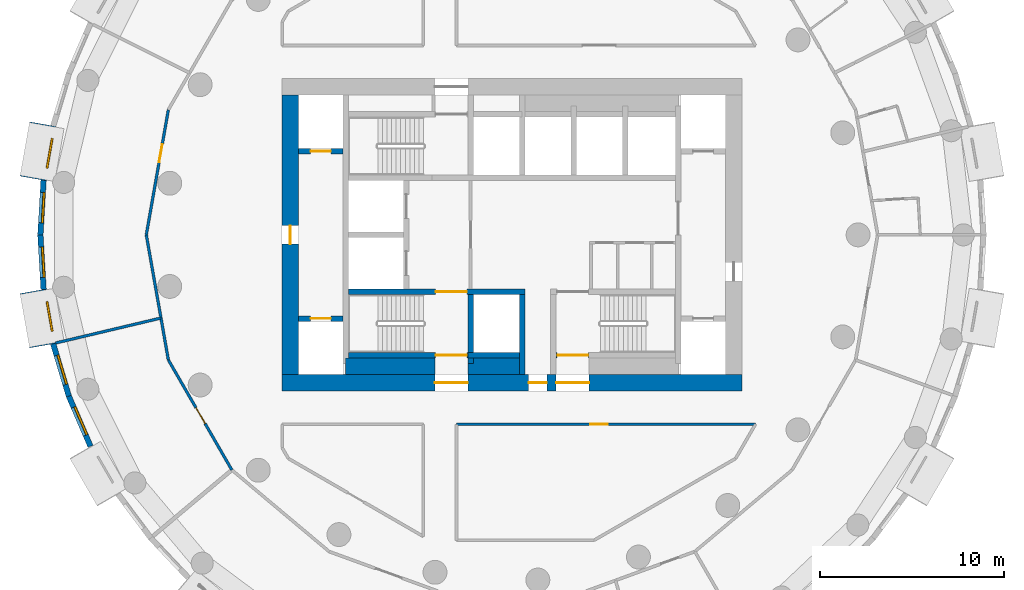
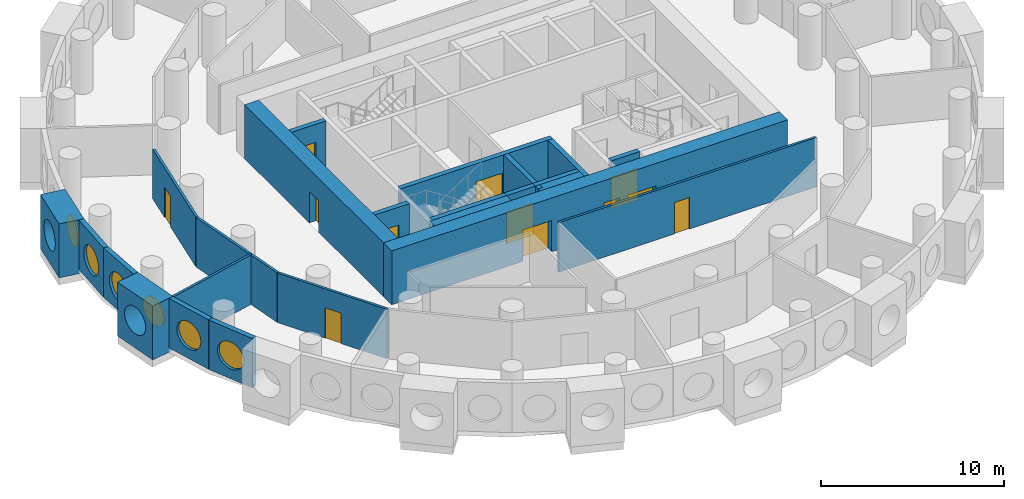
# One storey, part 3 of 10: 24 walls, 12 doors, 6 windows, 18 openings.
"""IFC4 building model written with IfcOpenShell, lengths in metres."""

from ifc_helpers import new_model, si_unit, direction, frame, frame_2d, origin, origin_2d, place, context, subcontext, project, spatial, rectangle, circle, extrude, material, layer, layer_set, type_object, element, fill, save


model = new_model("IFC4")

# Units and contexts
model_context = context("Model", 3, precision=1e-05, world=origin(), true_north=direction((0.0, 1.0)))
body_context = subcontext(model_context, "Body", "Model", "MODEL_VIEW")
ifc_project = project(units=[si_unit("LENGTHUNIT", "METRE"), si_unit("AREAUNIT", "SQUARE_METRE"), si_unit("VOLUMEUNIT", "CUBIC_METRE"), si_unit("PLANEANGLEUNIT", "RADIAN"), si_unit("MASSUNIT", "GRAM", prefix="KILO")], contexts=[model_context])

# Site, building, storey
site_placement = place(None, origin())
site = spatial("IfcSite", under=ifc_project, at=site_placement, CompositionType="ELEMENT")
building_placement = place(site_placement, origin())
building = spatial("IfcBuilding", under=site, at=building_placement, Name="Tracery Tower", CompositionType="ELEMENT")
storey_placement = place(building_placement, frame((0.0, 0.0, 158.39990234375)))
storey = spatial("IfcBuildingStorey", under=building, at=storey_placement, Name="L40", CompositionType="ELEMENT", Elevation=158.39990234375)

# Walls
ifc_material_1 = material(Name="Concrete C50/60", Category="concrete")
ifc_layer_1 = layer(ifc_material_1, 0.89990234375)
ifc_layer_set_1 = layer_set([ifc_layer_1], Name="Core strip wall 900 C50")
wall_type_1 = type_object("IfcWallType", Name="Core strip wall 900 C50", PredefinedType="SOLIDWALL", material=ifc_layer_set_1)
wall_1_placement = place(storey_placement, frame((-9.050048828125, -7.14990234375, 0.0), z_axis=(0.0, 0.0, 1.0), x_axis=(1.0, 0.0, 0.0)))
element("IfcWall", 1, at=wall_1_placement, inside=storey, type_object=wall_type_1, Name="L40 F thick S W", PredefinedType="SOLIDWALL", context=body_context, shape_type="SweptSolid", body=[
    extrude(rectangle(XDim=4.85009765625, YDim=0.89990234375, at=frame_2d((2.425048828125, 0.0))), origin(), (0.0, 0.0, 1.0), 3.300048828125),
])
wall_2_placement = place(storey_placement, frame((-2.39990234375, -7.14990234375, 0.0), z_axis=(0.0, 0.0, 1.0), x_axis=(1.0, 0.0, 0.0)))
element("IfcWall", 2, at=wall_2_placement, inside=storey, type_object=wall_type_1, Name="L40 F thick S mid", PredefinedType="SOLIDWALL", context=body_context, shape_type="SweptSolid", body=[
    extrude(rectangle(XDim=2.7998046875, YDim=0.89990234375, at=frame_2d((1.39990234375, 0.0))), origin(), (0.0, 0.0, 1.0), 3.300048828125),
])

# Wall, openings, doors
ifc_material_2 = material(Name="Concrete C50/60", Category="concrete")
ifc_layer_2 = layer(ifc_material_2, 0.89990234375)
ifc_layer_set_2 = layer_set([ifc_layer_2], Name="Core wall 900 C50")
wall_type_2 = type_object("IfcWallType", Name="Core wall 900 C50", PredefinedType="SOLIDWALL", material=ifc_layer_set_2)
wall_3_placement = place(storey_placement, frame((-12.5, -8.050048828125, 0.0), z_axis=(0.0, 0.0, 1.0), x_axis=(1.0, 0.0, 0.0)))
wall_3 = element("IfcWall", 3, at=wall_3_placement, inside=storey, type_object=wall_type_2, Name="L40 outer S", PredefinedType="SOLIDWALL", context=body_context, shape_type="SweptSolid", body=[
    extrude(rectangle(XDim=25.0, YDim=0.89990234375, at=frame_2d((12.5, 0.0))), origin(), (0.0, 0.0, 1.0), 3.60009765625),
])
opening_1_placement = place(wall_3_placement, frame((13.39990234375, 0.0, 0.0)))
opening_1 = element("IfcOpeningElement", 4, at=opening_1_placement, cuts=wall_3, Name="Opening KD16", PredefinedType="OPENING", context=body_context, shape_type="SweptSolid", body=[
    extrude(rectangle(XDim=1.0, YDim=2.10009765625, at=frame_2d((0.5, 1.050048828125))), frame((0.0, 0.449951171875, 0.0), z_axis=(0.0, -1.0, 0.0), x_axis=(1.0, 0.0, 0.0)), (0.0, 0.0, 1.0), 0.89990234375),
])
opening_2_placement = place(wall_3_placement, frame((8.300048828125, 0.0, 0.0)))
opening_2 = element("IfcOpeningElement", 5, at=opening_2_placement, cuts=wall_3, Name="Opening KD13", PredefinedType="OPENING", context=body_context, shape_type="SweptSolid", body=[
    extrude(rectangle(XDim=1.800048828125, YDim=2.10009765625, at=frame_2d((0.89990234375, 1.050048828125))), frame((0.0, 0.449951171875, 0.0), z_axis=(0.0, -1.0, 0.0), x_axis=(1.0, 0.0, 0.0)), (0.0, 0.0, 1.0), 0.89990234375),
])
opening_3_placement = place(wall_3_placement, frame((14.89990234375, 0.0, 0.0)))
opening_3 = element("IfcOpeningElement", 6, at=opening_3_placement, cuts=wall_3, Name="Opening KD13", PredefinedType="OPENING", context=body_context, shape_type="SweptSolid", body=[
    extrude(rectangle(XDim=1.800048828125, YDim=2.10009765625, at=frame_2d((0.89990234375, 1.050048828125))), frame((0.0, 0.449951171875, 0.0), z_axis=(0.0, -1.0, 0.0), x_axis=(1.0, 0.0, 0.0)), (0.0, 0.0, 1.0), 0.89990234375),
])
ifc_material_3 = material(Name="Steel fire door", Category="steel")
door_type_1 = type_object("IfcDoorType", Name="Core exit door 1000", OperationType="NOTDEFINED", PredefinedType="DOOR", material=ifc_material_3)
door_1_placement = place(opening_1_placement, origin())
door_1 = element("IfcDoor", 7, at=door_1_placement, inside=storey, type_object=door_type_1, Name="Core exit door", OperationType="SINGLE_SWING_LEFT", OverallHeight=2.10009765625, OverallWidth=1.0, PredefinedType="DOOR", context=body_context, shape_type="SweptSolid", body=[
    extrude(rectangle(XDim=1.0, YDim=2.10009765625, at=frame_2d((0.5, 1.050048828125))), frame((0.0, 0.02490234375, 0.0), z_axis=(0.0, -1.0, 0.0), x_axis=(1.0, 0.0, 0.0)), (0.0, 0.0, 1.0), 0.050048828125),
])
fill(opening_1, door_1)
ifc_material_4 = material(Name="Steel fire door", Category="steel")
door_type_2 = type_object("IfcDoorType", Name="Core exit door 1800 double", OperationType="NOTDEFINED", PredefinedType="DOOR", material=ifc_material_4)
door_2_placement = place(opening_2_placement, origin())
door_2 = element("IfcDoor", 8, at=door_2_placement, inside=storey, type_object=door_type_2, Name="Core exit door", OperationType="DOUBLE_DOOR_SINGLE_SWING", OverallHeight=2.10009765625, OverallWidth=1.800048828125, PredefinedType="DOOR", context=body_context, shape_type="SweptSolid", body=[
    extrude(rectangle(XDim=1.800048828125, YDim=2.10009765625, at=frame_2d((0.89990234375, 1.050048828125))), frame((0.0, 0.02490234375, 0.0), z_axis=(0.0, -1.0, 0.0), x_axis=(1.0, 0.0, 0.0)), (0.0, 0.0, 1.0), 0.050048828125),
])
fill(opening_2, door_2)
door_3_placement = place(opening_3_placement, origin())
door_3 = element("IfcDoor", 9, at=door_3_placement, inside=storey, type_object=door_type_2, Name="Core exit door", OperationType="DOUBLE_DOOR_SINGLE_SWING", OverallHeight=2.10009765625, OverallWidth=1.800048828125, PredefinedType="DOOR", context=body_context, shape_type="SweptSolid", body=[
    extrude(rectangle(XDim=1.800048828125, YDim=2.10009765625, at=frame_2d((0.89990234375, 1.050048828125))), frame((0.0, 0.02490234375, 0.0), z_axis=(0.0, -1.0, 0.0), x_axis=(1.0, 0.0, 0.0)), (0.0, 0.0, 1.0), 0.050048828125),
])
fill(opening_3, door_3)

# Wall, opening, door
wall_4_placement = place(storey_placement, frame((-12.050048828125, -7.60009765625, 0.0), z_axis=(0.0, 0.0, 1.0), x_axis=(0.0, 1.0, 0.0)))
wall_4 = element("IfcWall", 10, at=wall_4_placement, inside=storey, type_object=wall_type_2, Name="L40 outer W", PredefinedType="SOLIDWALL", context=body_context, shape_type="SweptSolid", body=[
    extrude(rectangle(XDim=15.2001953125, YDim=0.89990234375, at=frame_2d((7.60009765625, 0.0))), origin(), (0.0, 0.0, 1.0), 3.60009765625),
])
opening_4_placement = place(wall_4_placement, frame((7.10009765625, 0.0, 0.0)))
opening_4 = element("IfcOpeningElement", 11, at=opening_4_placement, cuts=wall_4, Name="Opening KD18", PredefinedType="OPENING", context=body_context, shape_type="SweptSolid", body=[
    extrude(rectangle(XDim=1.0, YDim=2.10009765625, at=frame_2d((0.5, 1.050048828125))), frame((0.0, 0.449951171875, 0.0), z_axis=(0.0, -1.0, 0.0), x_axis=(1.0, 0.0, 0.0)), (0.0, 0.0, 1.0), 0.89990234375),
])
door_4_placement = place(opening_4_placement, origin())
door_4 = element("IfcDoor", 12, at=door_4_placement, inside=storey, type_object=door_type_1, Name="Core exit door", OperationType="DOUBLE_DOOR_SINGLE_SWING", OverallHeight=2.10009765625, OverallWidth=1.0, PredefinedType="DOOR", context=body_context, shape_type="SweptSolid", body=[
    extrude(rectangle(XDim=1.0, YDim=2.10009765625, at=frame_2d((0.5, 1.050048828125))), frame((0.0, 0.02490234375, 0.0), z_axis=(0.0, -1.0, 0.0), x_axis=(1.0, 0.0, 0.0)), (0.0, 0.0, 1.0), 0.050048828125),
])
fill(opening_4, door_4)

# Wall, opening, window
ifc_material_5 = material(Name="Precast concrete C50/60", Category="concrete")
ifc_layer_3 = layer(ifc_material_5, 1.449951171875)
ifc_layer_set_3 = layer_set([ifc_layer_3], Name="Deep-set bay unit 3000 x 3600, slab edge 300")
wall_type_3 = type_object("IfcWallType", Name="Deep-set bay unit 3000 x 3600, slab edge 300", PredefinedType="ELEMENTEDWALL", material=ifc_layer_set_3)
wall_5_placement = place(storey_placement, frame((-25.520751953125, 6.023193359375, -0.2998046875), z_axis=(0.0, 0.0, 1.0), x_axis=(-0.173669267716, -0.984804034035, 0.0)))
wall_5 = element("IfcWall", 13, at=wall_5_placement, inside=storey, type_object=wall_type_3, Name="Deep-set bay unit 26 at L40", PredefinedType="ELEMENTEDWALL", context=body_context, shape_type="SweptSolid", body=[
    extrude(rectangle(XDim=3.0, YDim=1.449951171875, at=frame_2d((1.5, 0.0))), origin(), (0.0, 0.0, 1.0), 3.599853515625),
])
opening_5_placement = place(wall_5_placement, frame((1.5, 0.0, 1.85009765625)))
opening_5 = element("IfcOpeningElement", 14, at=opening_5_placement, cuts=wall_5, Name="Opening WN1", PredefinedType="OPENING", context=body_context, shape_type="SweptSolid", body=[
    extrude(circle(Radius=0.9000244140625, at=origin_2d()), frame((0.0, 0.73486328125, 0.0), z_axis=(0.0, -1.0, 0.0), x_axis=(1.0, 0.0, 0.0)), (0.0, 0.0, 1.0), 1.469970703125),
])
ifc_material_6 = material(Name="Aluminium frame with tinted double glazing", Category="aluminium")
window_type = type_object("IfcWindowType", Name="Round window 1800", PartitioningType="SINGLE_PANEL", PredefinedType="WINDOW", material=ifc_material_6)
window_1_placement = place(opening_5_placement, origin())
window_1 = element("IfcWindow", 15, at=window_1_placement, inside=storey, type_object=window_type, Name="Round window 26 at L40", OverallHeight=1.800048828125, OverallWidth=1.800048828125, PartitioningType="SINGLE_PANEL", PredefinedType="WINDOW", context=body_context, shape_type="SweptSolid", body=[
    extrude(circle(Radius=0.9000244140625, at=origin_2d()), frame((0.0, 0.69482421875, 0.0), z_axis=(0.0, -1.0, 0.0), x_axis=(1.0, 0.0, 0.0)), (0.0, 0.0, 1.0), 0.10009765625),
])
fill(opening_5, window_1)

wall_6_placement = place(storey_placement, frame((-26.041748046875, -3.06884765625, -0.2998046875), z_axis=(0.0, 0.0, 1.0), x_axis=(0.173669267716, -0.984804034035, 0.0)))
wall_6 = element("IfcWall", 16, at=wall_6_placement, inside=storey, type_object=wall_type_3, Name="Deep-set bay unit 29 at L40", PredefinedType="ELEMENTEDWALL", context=body_context, shape_type="SweptSolid", body=[
    extrude(rectangle(XDim=3.0, YDim=1.449951171875, at=frame_2d((1.5, 0.0))), origin(), (0.0, 0.0, 1.0), 3.599853515625),
])
opening_6_placement = place(wall_6_placement, frame((1.5, 0.0, 1.85009765625)))
opening_6 = element("IfcOpeningElement", 17, at=opening_6_placement, cuts=wall_6, Name="Opening WN1", PredefinedType="OPENING", context=body_context, shape_type="SweptSolid", body=[
    extrude(circle(Radius=0.9000244140625, at=origin_2d()), frame((0.0, 0.73486328125, 0.0), z_axis=(0.0, -1.0, 0.0), x_axis=(1.0, 0.0, 0.0)), (0.0, 0.0, 1.0), 1.469970703125),
])
window_2_placement = place(opening_6_placement, origin())
window_2 = element("IfcWindow", 18, at=window_2_placement, inside=storey, type_object=window_type, Name="Round window 29 at L40", OverallHeight=1.800048828125, OverallWidth=1.800048828125, PartitioningType="SINGLE_PANEL", PredefinedType="WINDOW", context=body_context, shape_type="SweptSolid", body=[
    extrude(circle(Radius=0.9000244140625, at=origin_2d()), frame((0.0, 0.69482421875, 0.0), z_axis=(0.0, -1.0, 0.0), x_axis=(1.0, 0.0, 0.0)), (0.0, 0.0, 1.0), 0.10009765625),
])
fill(opening_6, window_2)

ifc_material_7 = material(Name="Precast concrete C50/60", Category="concrete")
ifc_layer_4 = layer(ifc_material_7, 0.300048828125)
ifc_layer_set_4 = layer_set([ifc_layer_4], Name="Facade panel 3000 x 3300")
wall_type_4 = type_object("IfcWallType", Name="Facade panel 3000 x 3300", PredefinedType="SOLIDWALL", material=ifc_layer_set_4)
wall_7_placement = place(storey_placement, frame((-25.474609375, 2.9677734375, 0.0), z_axis=(0.0, 0.0, 1.0), x_axis=(-0.058144307138, -0.998308188661, 0.0)))
wall_7 = element("IfcWall", 19, at=wall_7_placement, inside=storey, type_object=wall_type_4, Name="Facade panel 27 at L40", PredefinedType="SOLIDWALL", context=body_context, shape_type="SweptSolid", body=[
    extrude(rectangle(XDim=2.972900390625, YDim=0.300048828125, at=frame_2d((1.486328125, 0.0))), origin(), (0.0, 0.0, 1.0), 3.300048828125),
])
opening_7_placement = place(wall_7_placement, frame((1.486328125, 0.0, 1.5498046875)))
opening_7 = element("IfcOpeningElement", 20, at=opening_7_placement, cuts=wall_7, Name="Opening WN1", PredefinedType="OPENING", context=body_context, shape_type="SweptSolid", body=[
    extrude(circle(Radius=0.9000244140625, at=origin_2d()), frame((0.0, 0.159912109375, 0.0), z_axis=(0.0, -1.0, 0.0), x_axis=(1.0, 0.0, 0.0)), (0.0, 0.0, 1.0), 0.320068359375),
])
window_3_placement = place(opening_7_placement, origin())
window_3 = element("IfcWindow", 21, at=window_3_placement, inside=storey, type_object=window_type, Name="Round window 27 at L40", OverallHeight=1.800048828125, OverallWidth=1.800048828125, PartitioningType="SINGLE_PANEL", PredefinedType="WINDOW", context=body_context, shape_type="SweptSolid", body=[
    extrude(circle(Radius=0.9000244140625, at=origin_2d()), frame((0.0, 0.1201171875, 0.0), z_axis=(0.0, -1.0, 0.0), x_axis=(1.0, 0.0, 0.0)), (0.0, 0.0, 1.0), 0.10009765625),
])
fill(opening_7, window_3)

wall_8_placement = place(storey_placement, frame((-25.6474609375, 0.0, 0.0), z_axis=(0.0, 0.0, 1.0), x_axis=(0.058144307138, -0.998308188661, 0.0)))
wall_8 = element("IfcWall", 22, at=wall_8_placement, inside=storey, type_object=wall_type_4, Name="Facade panel 28 at L40", PredefinedType="SOLIDWALL", context=body_context, shape_type="SweptSolid", body=[
    extrude(rectangle(XDim=2.972900390625, YDim=0.300048828125, at=frame_2d((1.486328125, 0.0))), origin(), (0.0, 0.0, 1.0), 3.300048828125),
])
opening_8_placement = place(wall_8_placement, frame((1.486328125, 0.0, 1.5498046875)))
opening_8 = element("IfcOpeningElement", 23, at=opening_8_placement, cuts=wall_8, Name="Opening WN1", PredefinedType="OPENING", context=body_context, shape_type="SweptSolid", body=[
    extrude(circle(Radius=0.9000244140625, at=origin_2d()), frame((0.0, 0.159912109375, 0.0), z_axis=(0.0, -1.0, 0.0), x_axis=(1.0, 0.0, 0.0)), (0.0, 0.0, 1.0), 0.320068359375),
])
window_4_placement = place(opening_8_placement, origin())
window_4 = element("IfcWindow", 24, at=window_4_placement, inside=storey, type_object=window_type, Name="Round window 28 at L40", OverallHeight=1.800048828125, OverallWidth=1.800048828125, PartitioningType="SINGLE_PANEL", PredefinedType="WINDOW", context=body_context, shape_type="SweptSolid", body=[
    extrude(circle(Radius=0.9000244140625, at=origin_2d()), frame((0.0, 0.1201171875, 0.0), z_axis=(0.0, -1.0, 0.0), x_axis=(1.0, 0.0, 0.0)), (0.0, 0.0, 1.0), 0.10009765625),
])
fill(opening_8, window_4)

wall_9_placement = place(storey_placement, frame((-24.953369140625, -5.924072265625, 0.0), z_axis=(0.0, 0.0, 1.0), x_axis=(0.286782750849, -0.957995643944, 0.0)))
wall_9 = element("IfcWall", 25, at=wall_9_placement, inside=storey, type_object=wall_type_4, Name="Facade panel 30 at L40", PredefinedType="SOLIDWALL", context=body_context, shape_type="SweptSolid", body=[
    extrude(rectangle(XDim=2.97265625, YDim=0.300048828125, at=frame_2d((1.486328125, 0.0))), origin(), (0.0, 0.0, 1.0), 3.300048828125),
])
opening_9_placement = place(wall_9_placement, frame((1.486328125, 0.0, 1.5498046875)))
opening_9 = element("IfcOpeningElement", 26, at=opening_9_placement, cuts=wall_9, Name="Opening WN1", PredefinedType="OPENING", context=body_context, shape_type="SweptSolid", body=[
    extrude(circle(Radius=0.9000244140625, at=origin_2d()), frame((0.0, 0.159912109375, 0.0), z_axis=(0.0, -1.0, 0.0), x_axis=(1.0, 0.0, 0.0)), (0.0, 0.0, 1.0), 0.320068359375),
])
window_5_placement = place(opening_9_placement, origin())
window_5 = element("IfcWindow", 27, at=window_5_placement, inside=storey, type_object=window_type, Name="Round window 30 at L40", OverallHeight=1.800048828125, OverallWidth=1.800048828125, PartitioningType="SINGLE_PANEL", PredefinedType="WINDOW", context=body_context, shape_type="SweptSolid", body=[
    extrude(circle(Radius=0.9000244140625, at=origin_2d()), frame((0.0, 0.1201171875, 0.0), z_axis=(0.0, -1.0, 0.0), x_axis=(1.0, 0.0, 0.0)), (0.0, 0.0, 1.0), 0.10009765625),
])
fill(opening_9, window_5)

wall_10_placement = place(storey_placement, frame((-24.100830078125, -8.77197265625, 0.0), z_axis=(0.0, 0.0, 1.0), x_axis=(0.396148129016, -0.918186614952, 0.0)))
wall_10 = element("IfcWall", 28, at=wall_10_placement, inside=storey, type_object=wall_type_4, Name="Facade panel 31 at L40", PredefinedType="SOLIDWALL", context=body_context, shape_type="SweptSolid", body=[
    extrude(rectangle(XDim=2.972900390625, YDim=0.300048828125, at=frame_2d((1.486328125, 0.0))), origin(), (0.0, 0.0, 1.0), 3.300048828125),
])
opening_10_placement = place(wall_10_placement, frame((1.486328125, 0.0, 1.5498046875)))
opening_10 = element("IfcOpeningElement", 29, at=opening_10_placement, cuts=wall_10, Name="Opening WN1", PredefinedType="OPENING", context=body_context, shape_type="SweptSolid", body=[
    extrude(circle(Radius=0.9000244140625, at=origin_2d()), frame((0.0, 0.159912109375, 0.0), z_axis=(0.0, -1.0, 0.0), x_axis=(1.0, 0.0, 0.0)), (0.0, 0.0, 1.0), 0.320068359375),
])
window_6_placement = place(opening_10_placement, origin())
window_6 = element("IfcWindow", 30, at=window_6_placement, inside=storey, type_object=window_type, Name="Round window 31 at L40", OverallHeight=1.800048828125, OverallWidth=1.800048828125, PartitioningType="SINGLE_PANEL", PredefinedType="WINDOW", context=body_context, shape_type="SweptSolid", body=[
    extrude(circle(Radius=0.9000244140625, at=origin_2d()), frame((0.0, 0.1201171875, 0.0), z_axis=(0.0, -1.0, 0.0), x_axis=(1.0, 0.0, 0.0)), (0.0, 0.0, 1.0), 0.10009765625),
])
fill(opening_10, window_6)

# Wall
ifc_material_8 = material(Name="Plasterboard on steel studs", Category="steel")
ifc_layer_5 = layer(ifc_material_8, 0.14990234375)
ifc_layer_set_5 = layer_set([ifc_layer_5], Name="Partition 150 acoustic unit wall")
wall_type_5 = type_object("IfcWallType", Name="Partition 150 acoustic unit wall", PredefinedType="PARTITIONING", material=ifc_layer_set_5)
wall_11_placement = place(storey_placement, frame((-24.81005859375, -5.8798828125, 0.0), z_axis=(0.0, 0.0, 1.0), x_axis=(0.973033452951, 0.230664040193, 0.0)))
element("IfcWall", 31, at=wall_11_placement, inside=storey, type_object=wall_type_5, Name="Unit wall RB4-070", PredefinedType="PARTITIONING", context=body_context, shape_type="SweptSolid", body=[
    extrude(rectangle(XDim=5.87841796875, YDim=0.14990234375, at=frame_2d((2.939208984375, 0.0))), origin(), (0.0, 0.0, 1.0), 3.300048828125),
])

# Wall, opening, door
ifc_material_9 = material(Name="Plasterboard on steel studs", Category="steel")
ifc_layer_6 = layer(ifc_material_9, 0.14990234375)
ifc_layer_set_6 = layer_set([ifc_layer_6], Name="Partition 150 corridor wall")
wall_type_6 = type_object("IfcWallType", Name="Partition 150 corridor wall", PredefinedType="PARTITIONING", material=ifc_layer_set_6)
wall_12_placement = place(storey_placement, frame((-3.02490234375, -10.300048828125, 0.0), z_axis=(0.0, 0.0, 1.0), x_axis=(1.0, 0.0, 0.0)))
wall_12 = element("IfcWall", 32, at=wall_12_placement, inside=storey, type_object=wall_type_6, Name="Corridor wall RB4-004", PredefinedType="PARTITIONING", context=body_context, shape_type="SweptSolid", body=[
    extrude(rectangle(XDim=16.261962890625, YDim=0.14990234375, at=frame_2d((8.130859375, 0.0))), origin(), (0.0, 0.0, 1.0), 3.300048828125),
])
opening_11_placement = place(wall_12_placement, frame((7.287109375, 0.0, 0.0)))
opening_11 = element("IfcOpeningElement", 33, at=opening_11_placement, cuts=wall_12, Name="Opening RB4-04", PredefinedType="OPENING", context=body_context, shape_type="SweptSolid", body=[
    extrude(rectangle(XDim=0.949951171875, YDim=2.10009765625, at=frame_2d((0.47509765625, 1.050048828125))), frame((0.0, 0.074951171875, 0.0), z_axis=(0.0, -1.0, 0.0), x_axis=(1.0, 0.0, 0.0)), (0.0, 0.0, 1.0), 0.14990234375),
])
ifc_material_10 = material(Name="Timber door leaf", Category="wood")
door_type_3 = type_object("IfcDoorType", Name="Door store 950", OperationType="NOTDEFINED", PredefinedType="DOOR", material=ifc_material_10)
door_5_placement = place(opening_11_placement, origin())
door_5 = element("IfcDoor", 34, at=door_5_placement, inside=storey, type_object=door_type_3, Name="Store door RB4-04", OperationType="SINGLE_SWING_RIGHT", OverallHeight=2.10009765625, OverallWidth=0.949951171875, PredefinedType="DOOR", context=body_context, shape_type="SweptSolid", body=[
    extrude(rectangle(XDim=0.949951171875, YDim=2.10009765625, at=frame_2d((0.47509765625, 1.050048828125))), frame((0.0, 0.02490234375, 0.0), z_axis=(0.0, -1.0, 0.0), x_axis=(1.0, 0.0, 0.0)), (0.0, 0.0, 1.0), 0.050048828125),
])
fill(opening_11, door_5)

# Wall
wall_13_placement = place(storey_placement, frame((-19.887939453125, 0.0, 0.0), z_axis=(0.0, 0.0, 1.0), x_axis=(0.173763153374, -0.984787472772, 0.0)))
element("IfcWall", 35, at=wall_13_placement, inside=storey, type_object=wall_type_6, Name="Corridor wall RB4-027", PredefinedType="PARTITIONING", context=body_context, shape_type="SweptSolid", body=[
    extrude(rectangle(XDim=6.906982421875, YDim=0.14990234375, at=frame_2d((3.45361328125, 0.0))), origin(), (0.0, 0.0, 1.0), 3.300048828125),
])

# Wall, opening, door
wall_14_placement = place(storey_placement, frame((-19.887939453125, 0.0, 0.0), z_axis=(0.0, 0.0, 1.0), x_axis=(0.173728873845, 0.98479352069, 0.0)))
wall_14 = element("IfcWall", 36, at=wall_14_placement, inside=storey, type_object=wall_type_6, Name="Corridor wall RB4-028", PredefinedType="PARTITIONING", context=body_context, shape_type="SweptSolid", body=[
    extrude(rectangle(XDim=6.906982421875, YDim=0.14990234375, at=frame_2d((3.45361328125, 0.0))), origin(), (0.0, 0.0, 1.0), 3.300048828125),
])
opening_12_placement = place(wall_14_placement, frame((4.00390625, 0.0, 0.0)))
opening_12 = element("IfcOpeningElement", 37, at=opening_12_placement, cuts=wall_14, Name="Opening RB4-23", PredefinedType="OPENING", context=body_context, shape_type="SweptSolid", body=[
    extrude(rectangle(XDim=1.0, YDim=2.0400390625, at=frame_2d((0.5, 1.02001953125))), frame((0.0, 0.074951171875, 0.0), z_axis=(0.0, -1.0, 0.0), x_axis=(1.0, 0.0, 0.0)), (0.0, 0.0, 1.0), 0.14990234375),
])
ifc_material_11 = material(Name="Timber door leaf", Category="wood")
door_type_4 = type_object("IfcDoorType", Name="Door communal room 1000", OperationType="NOTDEFINED", PredefinedType="DOOR", material=ifc_material_11)
door_6_placement = place(opening_12_placement, origin())
door_6 = element("IfcDoor", 38, at=door_6_placement, inside=storey, type_object=door_type_4, Name="Communal room door RB4-23", OperationType="SINGLE_SWING_RIGHT", OverallHeight=2.0400390625, OverallWidth=1.0, PredefinedType="DOOR", context=body_context, shape_type="SweptSolid", body=[
    extrude(rectangle(XDim=1.0, YDim=2.0400390625, at=frame_2d((0.5, 1.02001953125))), frame((0.0, 0.02490234375, 0.0), z_axis=(0.0, -1.0, 0.0), x_axis=(1.0, 0.0, 0.0)), (0.0, 0.0, 1.0), 0.050048828125),
])
fill(opening_12, door_6)

wall_15_placement = place(storey_placement, frame((-18.68798828125, -6.802001953125, 0.0), z_axis=(0.0, 0.0, 1.0), x_axis=(0.499914202267, -0.866074933462, 0.0)))
wall_15 = element("IfcWall", 39, at=wall_15_placement, inside=storey, type_object=wall_type_6, Name="Corridor wall RB4-029", PredefinedType="PARTITIONING", context=body_context, shape_type="SweptSolid", body=[
    extrude(rectangle(XDim=6.906982421875, YDim=0.14990234375, at=frame_2d((3.45361328125, 0.0))), origin(), (0.0, 0.0, 1.0), 3.300048828125),
])
opening_13_placement = place(wall_15_placement, frame((3.003173828125, 0.0, 0.0)))
opening_13 = element("IfcOpeningElement", 40, at=opening_13_placement, cuts=wall_15, Name="Opening RB4-24", PredefinedType="OPENING", context=body_context, shape_type="SweptSolid", body=[
    extrude(rectangle(XDim=1.0, YDim=2.0400390625, at=frame_2d((0.5, 1.02001953125))), frame((0.0, 0.074951171875, 0.0), z_axis=(0.0, -1.0, 0.0), x_axis=(1.0, 0.0, 0.0)), (0.0, 0.0, 1.0), 0.14990234375),
])
door_7_placement = place(opening_13_placement, origin())
door_7 = element("IfcDoor", 41, at=door_7_placement, inside=storey, type_object=door_type_4, Name="Communal room door RB4-24", OperationType="SINGLE_SWING_LEFT", OverallHeight=2.0400390625, OverallWidth=1.0, PredefinedType="DOOR", context=body_context, shape_type="SweptSolid", body=[
    extrude(rectangle(XDim=1.0, YDim=2.0400390625, at=frame_2d((0.5, 1.02001953125))), frame((0.0, 0.02490234375, 0.0), z_axis=(0.0, -1.0, 0.0), x_axis=(1.0, 0.0, 0.0)), (0.0, 0.0, 1.0), 0.050048828125),
])
fill(opening_13, door_7)

# Wall
ifc_material_12 = material(Name="Concrete C50/60", Category="concrete")
ifc_layer_7 = layer(ifc_material_12, 0.300048828125)
ifc_layer_set_7 = layer_set([ifc_layer_7], Name="Shaft wall 300 C50")
wall_type_7 = type_object("IfcWallType", Name="Shaft wall 300 C50", PredefinedType="SOLIDWALL", material=ifc_layer_set_7)
wall_16_placement = place(storey_placement, frame((0.550048828125, -7.60009765625, 0.0), z_axis=(0.0, 0.0, 1.0), x_axis=(0.0, 1.0, 0.0)))
element("IfcWall", 42, at=wall_16_placement, inside=storey, type_object=wall_type_7, Name="L40 OB2 E", PredefinedType="SOLIDWALL", context=body_context, shape_type="SweptSolid", body=[
    extrude(rectangle(XDim=4.35009765625, YDim=0.300048828125, at=frame_2d((2.175048828125, 0.0))), origin(), (0.0, 0.0, 1.0), 3.300048828125),
])

# Wall, opening, door
wall_17_placement = place(storey_placement, frame((-11.60009765625, -4.550048828125, 0.0), z_axis=(0.0, 0.0, 1.0), x_axis=(1.0, 0.0, 0.0)))
wall_17 = element("IfcWall", 43, at=wall_17_placement, inside=storey, type_object=wall_type_7, Name="L40 MR W -4.55", PredefinedType="SOLIDWALL", context=body_context, shape_type="SweptSolid", body=[
    extrude(rectangle(XDim=2.400146484375, YDim=0.300048828125, at=frame_2d((1.2001953125, 0.0))), origin(), (0.0, 0.0, 1.0), 3.300048828125),
])
opening_14_placement = place(wall_17_placement, frame((0.64990234375, 0.0, 0.0)))
opening_14 = element("IfcOpeningElement", 44, at=opening_14_placement, cuts=wall_17, Name="Opening KD50", PredefinedType="OPENING", context=body_context, shape_type="SweptSolid", body=[
    extrude(rectangle(XDim=1.10009765625, YDim=2.10009765625, at=frame_2d((0.550048828125, 1.050048828125))), frame((0.0, 0.14990234375, 0.0), z_axis=(0.0, -1.0, 0.0), x_axis=(1.0, 0.0, 0.0)), (0.0, 0.0, 1.0), 0.300048828125),
])
ifc_material_13 = material(Name="Steel fire door", Category="steel")
door_type_5 = type_object("IfcDoorType", Name="Landing door 1100", OperationType="NOTDEFINED", PredefinedType="DOOR", material=ifc_material_13)
door_8_placement = place(opening_14_placement, origin())
door_8 = element("IfcDoor", 45, at=door_8_placement, inside=storey, type_object=door_type_5, Name="Landing door MR1", OperationType="SLIDING_TO_RIGHT", OverallHeight=2.10009765625, OverallWidth=1.10009765625, PredefinedType="DOOR", context=body_context, shape_type="SweptSolid", body=[
    extrude(rectangle(XDim=1.10009765625, YDim=2.10009765625, at=frame_2d((0.550048828125, 1.050048828125))), frame((0.0, 0.02490234375, 0.0), z_axis=(0.0, -1.0, 0.0), x_axis=(1.0, 0.0, 0.0)), (0.0, 0.0, 1.0), 0.050048828125),
])
fill(opening_14, door_8)

wall_18_placement = place(storey_placement, frame((-11.60009765625, 4.550048828125, 0.0), z_axis=(0.0, 0.0, 1.0), x_axis=(1.0, 0.0, 0.0)))
wall_18 = element("IfcWall", 46, at=wall_18_placement, inside=storey, type_object=wall_type_7, Name="L40 MR W +4.55", PredefinedType="SOLIDWALL", context=body_context, shape_type="SweptSolid", body=[
    extrude(rectangle(XDim=2.400146484375, YDim=0.300048828125, at=frame_2d((1.2001953125, 0.0))), origin(), (0.0, 0.0, 1.0), 3.300048828125),
])
opening_15_placement = place(wall_18_placement, frame((0.64990234375, 0.0, 0.0)))
opening_15 = element("IfcOpeningElement", 47, at=opening_15_placement, cuts=wall_18, Name="Opening KD49", PredefinedType="OPENING", context=body_context, shape_type="SweptSolid", body=[
    extrude(rectangle(XDim=1.10009765625, YDim=2.10009765625, at=frame_2d((0.550048828125, 1.050048828125))), frame((0.0, 0.14990234375, 0.0), z_axis=(0.0, -1.0, 0.0), x_axis=(1.0, 0.0, 0.0)), (0.0, 0.0, 1.0), 0.300048828125),
])
door_9_placement = place(opening_15_placement, origin())
door_9 = element("IfcDoor", 48, at=door_9_placement, inside=storey, type_object=door_type_5, Name="Landing door MR2", OperationType="SLIDING_TO_LEFT", OverallHeight=2.10009765625, OverallWidth=1.10009765625, PredefinedType="DOOR", context=body_context, shape_type="SweptSolid", body=[
    extrude(rectangle(XDim=1.10009765625, YDim=2.10009765625, at=frame_2d((0.550048828125, 1.050048828125))), frame((0.0, 0.02490234375, 0.0), z_axis=(0.0, -1.0, 0.0), x_axis=(1.0, 0.0, 0.0)), (0.0, 0.0, 1.0), 0.050048828125),
])
fill(opening_15, door_9)

ifc_material_14 = material(Name="Concrete C50/60", Category="concrete")
ifc_layer_8 = layer(ifc_material_14, 0.300048828125)
ifc_layer_set_8 = layer_set([ifc_layer_8], Name="Stair wall 300 C50")
wall_type_8 = type_object("IfcWallType", Name="Stair wall 300 C50", PredefinedType="SOLIDWALL", material=ifc_layer_set_8)
wall_19_placement = place(storey_placement, frame((-8.89990234375, -3.10009765625, 0.0), z_axis=(0.0, 0.0, 1.0), x_axis=(1.0, 0.0, 0.0)))
wall_19 = element("IfcWall", 49, at=wall_19_placement, inside=storey, type_object=wall_type_8, Name="L40 row S", PredefinedType="SOLIDWALL", context=body_context, shape_type="SweptSolid", body=[
    extrude(rectangle(XDim=9.599853515625, YDim=0.300048828125, at=frame_2d((4.7998046875, 0.0))), origin(), (0.0, 0.0, 1.0), 3.300048828125),
])
opening_16_placement = place(wall_19_placement, frame((4.75, 0.0, 0.0)))
opening_16 = element("IfcOpeningElement", 50, at=opening_16_placement, cuts=wall_19, Name="Opening KD3", PredefinedType="OPENING", context=body_context, shape_type="SweptSolid", body=[
    extrude(rectangle(XDim=1.699951171875, YDim=2.10009765625, at=frame_2d((0.85009765625, 1.050048828125))), frame((0.0, 0.14990234375, 0.0), z_axis=(0.0, -1.0, 0.0), x_axis=(1.0, 0.0, 0.0)), (0.0, 0.0, 1.0), 0.300048828125),
])
ifc_material_15 = material(Name="Steel fire door", Category="steel")
door_type_6 = type_object("IfcDoorType", Name="Core stair door 1700 double", OperationType="NOTDEFINED", PredefinedType="DOOR", material=ifc_material_15)
door_10_placement = place(opening_16_placement, origin())
door_10 = element("IfcDoor", 51, at=door_10_placement, inside=storey, type_object=door_type_6, Name="Stair door ST1", OperationType="DOUBLE_DOOR_SINGLE_SWING", OverallHeight=2.10009765625, OverallWidth=1.699951171875, PredefinedType="DOOR", context=body_context, shape_type="SweptSolid", body=[
    extrude(rectangle(XDim=1.699951171875, YDim=2.10009765625, at=frame_2d((0.85009765625, 1.050048828125))), frame((0.0, 0.02490234375, 0.0), z_axis=(0.0, -1.0, 0.0), x_axis=(1.0, 0.0, 0.0)), (0.0, 0.0, 1.0), 0.050048828125),
])
fill(opening_16, door_10)

# Walls
wall_20_placement = place(storey_placement, frame((-2.25, -7.0, 0.0), z_axis=(0.0, 0.0, 1.0), x_axis=(0.0, 1.0, 0.0)))
element("IfcWall", 52, at=wall_20_placement, inside=storey, type_object=wall_type_8, Name="L40 ST1 E", PredefinedType="SOLIDWALL", context=body_context, shape_type="SweptSolid", body=[
    extrude(rectangle(XDim=3.75, YDim=0.300048828125, at=frame_2d((1.875, 0.0))), origin(), (0.0, 0.0, 1.0), 3.300048828125),
])
wall_21_placement = place(storey_placement, frame((-8.89990234375, -6.550048828125, 0.0), z_axis=(0.0, 0.0, 1.0), x_axis=(1.0, 0.0, 0.0)))
element("IfcWall", 53, at=wall_21_placement, inside=storey, type_object=wall_type_8, Name="L40 F stair strip S W", PredefinedType="SOLIDWALL", context=body_context, shape_type="SweptSolid", body=[
    extrude(rectangle(XDim=4.699951171875, YDim=0.300048828125, at=frame_2d((2.35009765625, 0.0))), origin(), (0.0, 0.0, 1.0), 3.300048828125),
])
wall_22_placement = place(storey_placement, frame((-2.39990234375, -6.550048828125, 0.0), z_axis=(0.0, 0.0, 1.0), x_axis=(1.0, 0.0, 0.0)))
element("IfcWall", 54, at=wall_22_placement, inside=storey, type_object=wall_type_8, Name="L40 F stair strip S mid", PredefinedType="SOLIDWALL", context=body_context, shape_type="SweptSolid", body=[
    extrude(rectangle(XDim=2.7998046875, YDim=0.300048828125, at=frame_2d((1.39990234375, 0.0))), origin(), (0.0, 0.0, 1.0), 3.300048828125),
])

# Wall, opening, door
wall_23_placement = place(storey_placement, frame((-4.199951171875, -6.550048828125, 0.0), z_axis=(0.0, 0.0, 1.0), x_axis=(1.0, 0.0, 0.0)))
wall_23 = element("IfcWall", 55, at=wall_23_placement, inside=storey, type_object=wall_type_8, Name="L40 F stair S W", PredefinedType="SOLIDWALL", context=body_context, shape_type="SweptSolid", body=[
    extrude(rectangle(XDim=1.800048828125, YDim=0.300048828125, at=frame_2d((0.89990234375, 0.0))), origin(), (0.0, 0.0, 1.0), 3.300048828125),
])
opening_17_placement = place(wall_23_placement, frame((0.050048828125, 0.0, 0.0)))
opening_17 = element("IfcOpeningElement", 56, at=opening_17_placement, cuts=wall_23, Name="Opening KD3", PredefinedType="OPENING", context=body_context, shape_type="SweptSolid", body=[
    extrude(rectangle(XDim=1.699951171875, YDim=2.10009765625, at=frame_2d((0.85009765625, 1.050048828125))), frame((0.0, 0.14990234375, 0.0), z_axis=(0.0, -1.0, 0.0), x_axis=(1.0, 0.0, 0.0)), (0.0, 0.0, 1.0), 0.300048828125),
])
door_11_placement = place(opening_17_placement, origin())
door_11 = element("IfcDoor", 57, at=door_11_placement, inside=storey, type_object=door_type_6, Name="Stair door vest", OperationType="DOUBLE_DOOR_SINGLE_SWING", OverallHeight=2.10009765625, OverallWidth=1.699951171875, PredefinedType="DOOR", context=body_context, shape_type="SweptSolid", body=[
    extrude(rectangle(XDim=1.699951171875, YDim=2.10009765625, at=frame_2d((0.85009765625, 1.050048828125))), frame((0.0, 0.02490234375, 0.0), z_axis=(0.0, -1.0, 0.0), x_axis=(1.0, 0.0, 0.0)), (0.0, 0.0, 1.0), 0.050048828125),
])
fill(opening_17, door_11)

wall_24_placement = place(storey_placement, frame((2.39990234375, -6.550048828125, 0.0), z_axis=(0.0, 0.0, 1.0), x_axis=(1.0, 0.0, 0.0)))
wall_24 = element("IfcWall", 58, at=wall_24_placement, inside=storey, type_object=wall_type_8, Name="L40 F stair S E", PredefinedType="SOLIDWALL", context=body_context, shape_type="SweptSolid", body=[
    extrude(rectangle(XDim=1.800048828125, YDim=0.300048828125, at=frame_2d((0.89990234375, 0.0))), origin(), (0.0, 0.0, 1.0), 3.300048828125),
])
opening_18_placement = place(wall_24_placement, frame((0.050048828125, 0.0, 0.0)))
opening_18 = element("IfcOpeningElement", 59, at=opening_18_placement, cuts=wall_24, Name="Opening KD3", PredefinedType="OPENING", context=body_context, shape_type="SweptSolid", body=[
    extrude(rectangle(XDim=1.699951171875, YDim=2.10009765625, at=frame_2d((0.85009765625, 1.050048828125))), frame((0.0, 0.14990234375, 0.0), z_axis=(0.0, -1.0, 0.0), x_axis=(1.0, 0.0, 0.0)), (0.0, 0.0, 1.0), 0.300048828125),
])
door_12_placement = place(opening_18_placement, origin())
door_12 = element("IfcDoor", 60, at=door_12_placement, inside=storey, type_object=door_type_6, Name="Stair door vest", OperationType="DOUBLE_DOOR_SINGLE_SWING", OverallHeight=2.10009765625, OverallWidth=1.699951171875, PredefinedType="DOOR", context=body_context, shape_type="SweptSolid", body=[
    extrude(rectangle(XDim=1.699951171875, YDim=2.10009765625, at=frame_2d((0.85009765625, 1.050048828125))), frame((0.0, 0.02490234375, 0.0), z_axis=(0.0, -1.0, 0.0), x_axis=(1.0, 0.0, 0.0)), (0.0, 0.0, 1.0), 0.050048828125),
])
fill(opening_18, door_12)

save(model, "model.ifc")
